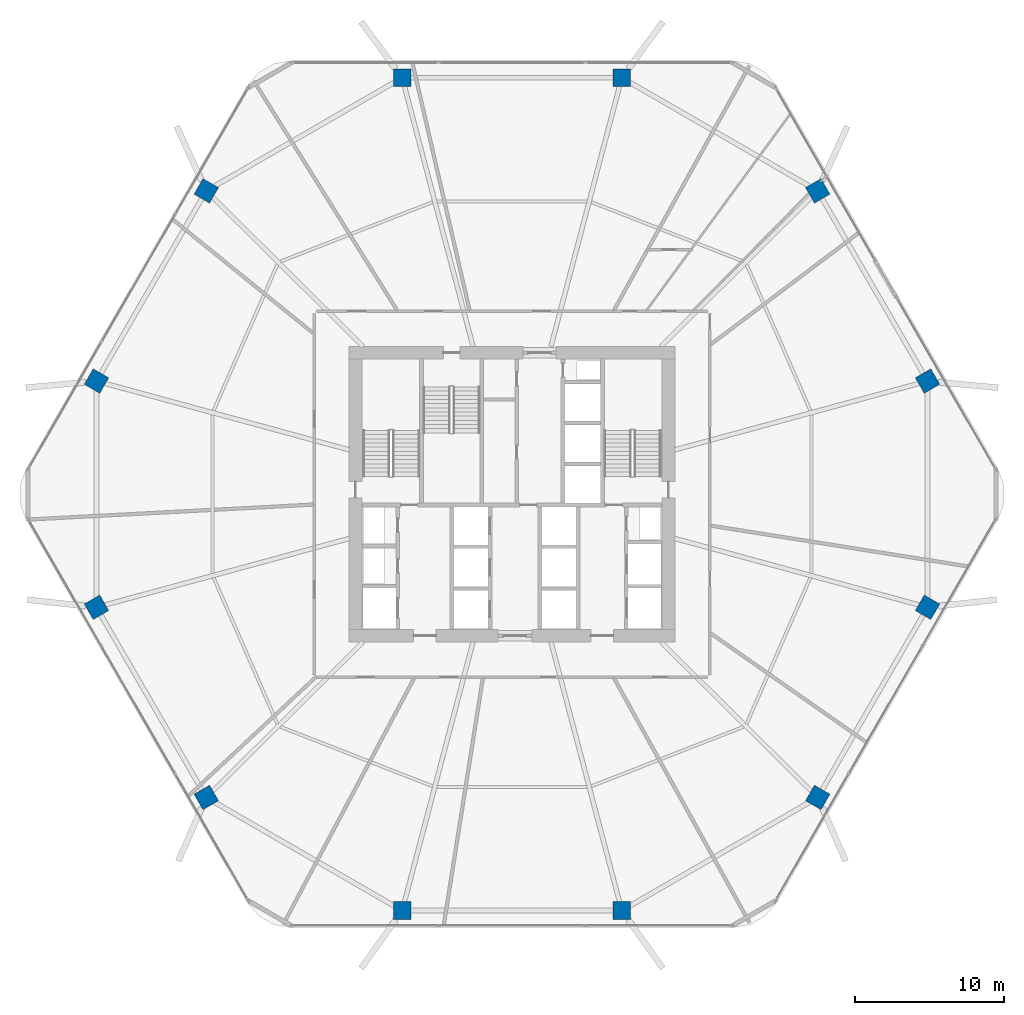
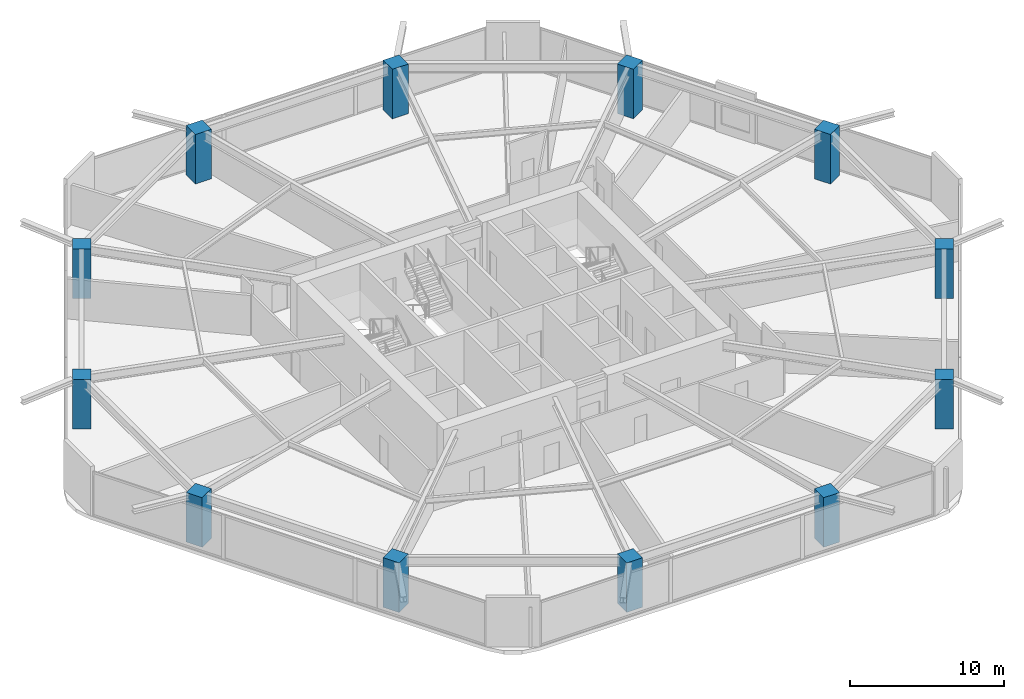
# One storey, part 1 of 25: 12 columns.
"""IFC4 building model written with IfcOpenShell, lengths in metres."""

import ifcopenshell
import ifcopenshell.guid

model = None  # the IFC model being written
_history = None  # IfcOwnerHistory: only IFC2X3 demands one
_inside = {}  # id of a spatial element -> (the spatial element, [elements in it])
_under = {}  # id of a project, library or spatial element -> (it, [spatial elements below it])
_declared = {}  # id of a project -> (the project, [libraries it declares])
_typed = {}  # id of a type object -> (the type object, [elements of that type])
_made_of = {}  # id of a material, layer set ... -> (it, [elements and type objects made of it])


def new_model(schema):
    """Start an empty IFC model of exactly this schema.

    Asked for "IFC4X3", IfcOpenShell would pick the latest addendum, in which some entities
    have other attributes; the version numbers below select the first issue.
    IFC2X3 requires an IfcOwnerHistory on every rooted entity: one is made here for all.
    """
    global model, _history
    if schema == "IFC4X3":
        model = ifcopenshell.file(schema_version=(4, 3, 0, 0))
    else:
        model = ifcopenshell.file(schema=schema)
    _inside.clear()
    _under.clear()
    _declared.clear()
    _typed.clear()
    _made_of.clear()
    _history = None
    if model.schema == "IFC2X3":
        org = make("IfcOrganization", Name="unknown")
        user = make(
            "IfcPersonAndOrganization",
            ThePerson=make("IfcPerson", FamilyName="unknown"),
            TheOrganization=org,
        )
        app = make(
            "IfcApplication",
            ApplicationDeveloper=org,
            Version="unknown",
            ApplicationFullName="unknown",
            ApplicationIdentifier="unknown",
        )
        _history = make(
            "IfcOwnerHistory",
            OwningUser=user,
            OwningApplication=app,
            ChangeAction="ADDED",
            CreationDate=0,
        )
    return model


def make(cls, **values):
    """One entity of the class cls with the attributes given. An attribute that is None is left unset."""
    return model.create_entity(
        cls, **{name: value for name, value in values.items() if value is not None}
    )


def rooted(cls, **values):
    """An entity with a GlobalId (a new one), such as an element, a storey or a relation."""
    return make(cls, GlobalId=ifcopenshell.guid.new(), OwnerHistory=_history, **values)


def si_unit(unit_type, name, prefix=None):
    """IfcSIUnit, for example si_unit("LENGTHUNIT", "METRE", prefix="MILLI")."""
    return make("IfcSIUnit", UnitType=unit_type, Prefix=prefix, Name=name)


def assignment(units):
    """IfcUnitAssignment: the units of a project."""
    return None if units is None else make("IfcUnitAssignment", Units=units)


def point(xyz):
    """IfcCartesianPoint."""
    return None if xyz is None else make("IfcCartesianPoint", Coordinates=xyz)


def direction(xyz):
    """IfcDirection."""
    return None if xyz is None else make("IfcDirection", DirectionRatios=xyz)


def frame(location, z_axis=None, x_axis=None):
    """IfcAxis2Placement3D, a coordinate frame: its origin and axes. An axis left out is left unset."""
    return make(
        "IfcAxis2Placement3D",
        Location=point(location),
        Axis=direction(z_axis),
        RefDirection=direction(x_axis),
    )


def frame_2d(location, x_axis=None):
    """IfcAxis2Placement2D, a coordinate frame in the plane: its origin and x axis."""
    return make(
        "IfcAxis2Placement2D", Location=point(location), RefDirection=direction(x_axis)
    )


def origin():
    """The frame at (0, 0, 0) with its axes left unset."""
    return frame((0.0, 0.0, 0.0))


def origin_2d():
    """The frame at (0, 0) in the plane with its x axis left unset."""
    return frame_2d((0.0, 0.0))


def place(relative_to, where):
    """IfcLocalPlacement: puts the frame where relative to a parent placement (None: the world)."""
    return make(
        "IfcLocalPlacement", PlacementRelTo=relative_to, RelativePlacement=where
    )


def context(
    kind, dimensions, precision=None, world=None, true_north=None, identifier=None
):
    """IfcGeometricRepresentationContext, for example the 3D "Model" context."""
    return make(
        "IfcGeometricRepresentationContext",
        ContextIdentifier=identifier,
        ContextType=kind,
        CoordinateSpaceDimension=dimensions,
        Precision=precision,
        WorldCoordinateSystem=world,
        TrueNorth=true_north,
    )


def subcontext(parent, identifier, kind, view, scale=None):
    """IfcGeometricRepresentationSubContext, for example "Body" below "Model"."""
    return make(
        "IfcGeometricRepresentationSubContext",
        ContextIdentifier=identifier,
        ContextType=kind,
        ParentContext=parent,
        TargetScale=scale,
        TargetView=view,
    )


def project(units=None, contexts=None):
    """IfcProject with its units and contexts."""
    return rooted(
        "IfcProject",
        Name="project",
        RepresentationContexts=contexts,
        UnitsInContext=assignment(units),
    )


def spatial(cls, under=None, at=None, **own):
    """A site, building, storey or space (cls), placed at a placement, below another one or the project."""
    s = rooted(cls, ObjectPlacement=at, **own)
    if under is not None:
        _under.setdefault(under.id(), (under, []))[1].append(s)
    return s


def profile(cls, at=None, kind="AREA", **sizes):
    """A parametric profile (cls). Its sizes go by their IFC names, for example OverallWidth=200.0."""
    return make(cls, ProfileType=kind, Position=at, **sizes)


def rectangle(**sizes):
    """IfcRectangleProfileDef."""
    return profile("IfcRectangleProfileDef", **sizes)


def extrude(swept, where, along, depth):
    """IfcExtrudedAreaSolid: the profile swept, set in the frame where, extruded along a direction by depth."""
    return make(
        "IfcExtrudedAreaSolid",
        SweptArea=swept,
        Position=where,
        ExtrudedDirection=direction(along),
        Depth=depth,
    )


def shape(context_of_items, identifier, shape_type, items):
    """IfcShapeRepresentation: the items that make up one representation, for example the "Body"."""
    return make(
        "IfcShapeRepresentation",
        ContextOfItems=context_of_items,
        RepresentationIdentifier=identifier,
        RepresentationType=shape_type,
        Items=items,
    )


def material(Name=None, Category=None):
    """IfcMaterial."""
    return make("IfcMaterial", Name=Name, Category=Category)


def material_profile(
    of_material, cross_section, Name=None, Category=None, Priority=None
):
    """IfcMaterialProfile: a cross section and its material."""
    return make(
        "IfcMaterialProfile",
        Name=Name,
        Material=of_material,
        Profile=cross_section,
        Priority=Priority,
        Category=Category,
    )


def profile_set(profiles, Name=None, composite=None):
    """IfcMaterialProfileSet."""
    return make(
        "IfcMaterialProfileSet",
        Name=Name,
        MaterialProfiles=profiles,
        CompositeProfile=composite,
    )


def made_of(thing, what):
    """Note that an element or type object is made of a material, layer set ...; save() writes the relation."""
    if what is not None:
        _made_of.setdefault(what.id(), (what, []))[1].append(thing)
    return thing


def type_object(cls, material=None, **own):
    """A type object (cls), such as IfcWallType, which elements share."""
    return made_of(rooted(cls, **own), material)


def element(
    cls,
    number,
    at=None,
    inside=None,
    cuts=None,
    type_object=None,
    material=None,
    context=None,
    identifier="Body",
    shape_type=None,
    held_by="IfcProductDefinitionShape",
    body=None,
    shapes=None,
    **own,
):
    """One element of the class cls, such as IfcWall. Its Tag is "e" and its number.

    at: its placement. inside: the storey or other place that contains it. cuts: it is an
    opening in that element (IfcRelVoidsElement). A single representation is given by context,
    identifier, shape_type and body (its items); several are given by shapes. held_by: the class
    of the entity that holds the representations. save() writes the other relations.
    """
    e = rooted(cls, Tag="e%d" % number, ObjectPlacement=at, **own)
    if body is not None:
        shapes = [shape(context, identifier, shape_type, body)]
    if shapes is not None:
        e.Representation = make(held_by, Representations=shapes)
    if inside is not None:
        _inside.setdefault(inside.id(), (inside, []))[1].append(e)
    if cuts is not None:
        rooted(
            "IfcRelVoidsElement", RelatingBuildingElement=cuts, RelatedOpeningElement=e
        )
    if type_object is not None:
        _typed.setdefault(type_object.id(), (type_object, []))[1].append(e)
    return made_of(e, material)


def aggregate(whole, parts):
    """IfcRelAggregates: a whole, such as a stair, and the parts it consists of."""
    return rooted("IfcRelAggregates", RelatingObject=whole, RelatedObjects=parts)


def save(model, path):
    """Write the relations noted so far, then the file.

    IfcRelAggregates (storeys below a building ...), IfcRelContainedInSpatialStructure (elements
    in a storey), IfcRelDefinesByType, IfcRelAssociatesMaterial and IfcRelDeclares: one each for
    every whole, place, type object, material and project.
    """
    for whole, parts in _under.values():
        aggregate(whole, parts)
    for where, things in _inside.values():
        rooted(
            "IfcRelContainedInSpatialStructure",
            RelatedElements=things,
            RelatingStructure=where,
        )
    for kind, things in _typed.values():
        rooted("IfcRelDefinesByType", RelatedObjects=things, RelatingType=kind)
    for what, things in _made_of.values():
        rooted("IfcRelAssociatesMaterial", RelatedObjects=things, RelatingMaterial=what)
    for by, libraries in _declared.values():
        rooted("IfcRelDeclares", RelatingContext=by, RelatedDefinitions=libraries)
    model.write(path)


model = new_model("IFC4")

# Units and contexts
model_context = context("Model", 3, precision=1e-05, world=origin(), true_north=direction((0.0, 1.0)))
body_context = subcontext(model_context, "Body", "Model", "MODEL_VIEW")
ifc_project = project(units=[si_unit("LENGTHUNIT", "METRE"), si_unit("AREAUNIT", "SQUARE_METRE"), si_unit("VOLUMEUNIT", "CUBIC_METRE"), si_unit("PLANEANGLEUNIT", "RADIAN"), si_unit("MASSUNIT", "GRAM", prefix="KILO")], contexts=[model_context])

# Site, building, storey
site_placement = place(None, origin())
site = spatial("IfcSite", under=ifc_project, at=site_placement, CompositionType="ELEMENT")
building_placement = place(site_placement, origin())
building = spatial("IfcBuilding", under=site, at=building_placement, Name="Zuhravey Tower", CompositionType="ELEMENT")
storey_placement = place(building_placement, frame((0.0, 0.0, 37.199951171875)))
storey = spatial("IfcBuildingStorey", under=building, at=storey_placement, Name="L09", CompositionType="ELEMENT", Elevation=37.199951171875)

# Columns
ifc_material = material(Name="Concrete C60/75", Category="concrete")
ifc_material_profile = material_profile(ifc_material, rectangle(XDim=1.199951171875, YDim=1.199951171875, at=origin_2d()), Name="RC-1200x1200")
ifc_profile_set = profile_set([ifc_material_profile], Name="Concrete C60/75")
column_type = type_object("IfcColumnType", Name="Zone 1 Perimeter Column 1200x1200", PredefinedType="COLUMN", material=ifc_profile_set)
for number, where, z_axis, x_axis, name in (
    (1, (63.88916015625, 39.591552734375, 0.0), (0.0, 0.0, 1.0), (-0.5, 0.866025403784, 0.0), "L09 Perimeter Column PC01"),
    (2, (56.51904296875, 52.35693359375, 0.0), (0.0, 0.0, 1.0), (-0.5, 0.866025403784, 0.0), "L09 Perimeter Column PC02"),
    (3, (43.3701171875, 59.948486328125, 0.0), (0.0, 0.0, 1.0), (-1.0, 0.0, 0.0), "L09 Perimeter Column PC03"),
    (4, (28.6298828125, 59.948486328125, 0.0), (0.0, 0.0, 1.0), (-1.0, 0.0, 0.0), "L09 Perimeter Column PC04"),
    (5, (15.48095703125, 52.35693359375, 0.0), (0.0, 0.0, 1.0), (-0.5, -0.866025403784, 0.0), "L09 Perimeter Column PC05"),
    (6, (8.11083984375, 39.591552734375, 0.0), (0.0, 0.0, 1.0), (-0.5, -0.866025403784, 0.0), "L09 Perimeter Column PC06"),
    (7, (8.11083984375, 24.408447265625, 0.0), (0.0, 0.0, 1.0), (0.5, -0.866025403784, 0.0), "L09 Perimeter Column PC07"),
    (8, (15.48095703125, 11.64306640625, 0.0), (0.0, 0.0, 1.0), (0.5, -0.866025403784, 0.0), "L09 Perimeter Column PC08"),
    (9, (28.6298828125, 4.051513671875, 0.0), (0.0, 0.0, 1.0), (1.0, 0.0, 0.0), "L09 Perimeter Column PC09"),
    (10, (43.3701171875, 4.051513671875, 0.0), (0.0, 0.0, 1.0), (1.0, 0.0, 0.0), "L09 Perimeter Column PC10"),
    (11, (56.51904296875, 11.64306640625, 0.0), (0.0, 0.0, 1.0), (0.5, 0.866025403784, 0.0), "L09 Perimeter Column PC11"),
    (12, (63.88916015625, 24.408447265625, 0.0), (0.0, 0.0, 1.0), (0.5, 0.866025403784, 0.0), "L09 Perimeter Column PC12"),
):
    element("IfcColumn", number, at=place(storey_placement, frame(where, z_axis=z_axis, x_axis=x_axis)), inside=storey, type_object=column_type, Name=name, PredefinedType="COLUMN", context=body_context, shape_type="SweptSolid", body=[
        extrude(rectangle(XDim=1.199951171875, YDim=1.199951171875, at=origin_2d()), origin(), (0.0, 0.0, 1.0), 3.920166015625),
    ])

save(model, "model.ifc")
